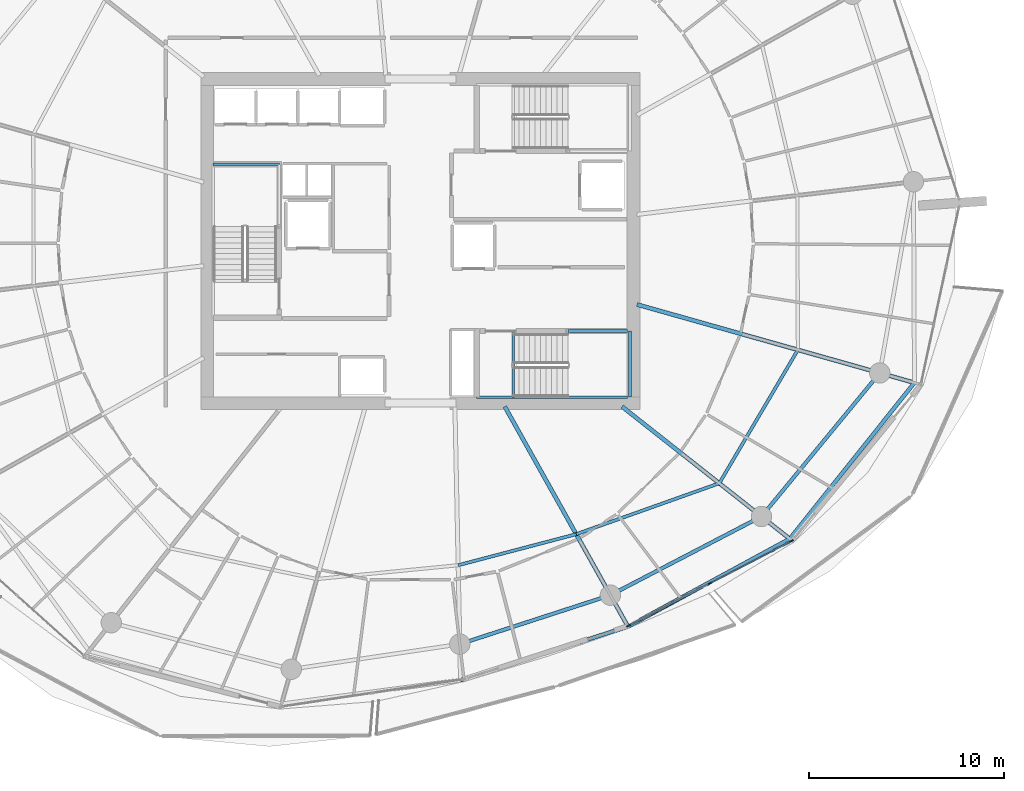
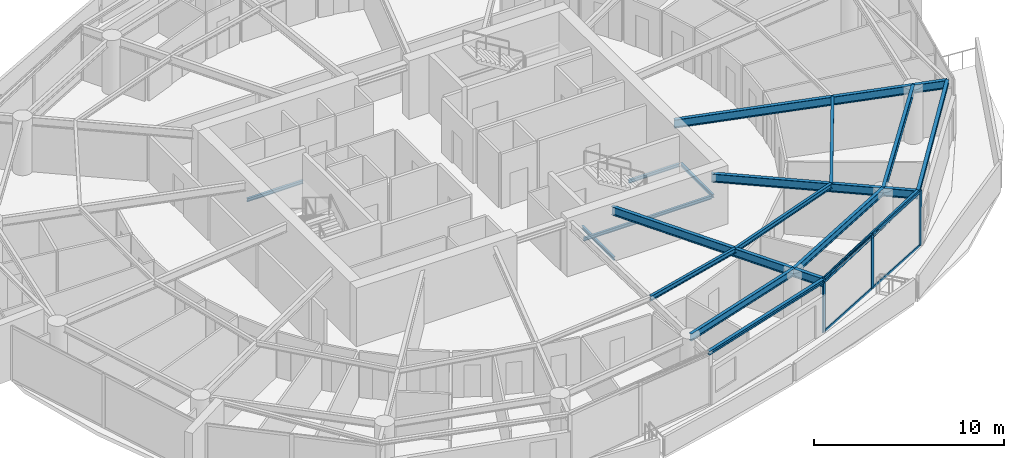
# One storey, part 6 of 21: 17 beams, 7 members, 1 element without a shape of its own.
"""IFC4 building model written with IfcOpenShell, lengths in metres."""

from ifc_helpers import new_model, si_unit, direction, frame, origin, origin_2d, place, context, subcontext, project, spatial, rectangle, i_section, extrude, material, layer, layer_set, material_profile, profile_set, type_object, element, aggregate, save


model = new_model("IFC4")

# Units and contexts
model_context = context("Model", 3, precision=1e-05, world=origin(), true_north=direction((0.0, 1.0)))
body_context = subcontext(model_context, "Body", "Model", "MODEL_VIEW")
ifc_project = project(units=[si_unit("LENGTHUNIT", "METRE"), si_unit("AREAUNIT", "SQUARE_METRE"), si_unit("VOLUMEUNIT", "CUBIC_METRE"), si_unit("PLANEANGLEUNIT", "RADIAN"), si_unit("MASSUNIT", "GRAM", prefix="KILO")], contexts=[model_context])

# Site, building, storey
site_placement = place(None, origin())
site = spatial("IfcSite", under=ifc_project, at=site_placement, CompositionType="ELEMENT")
building_placement = place(site_placement, origin())
building = spatial("IfcBuilding", under=site, at=building_placement, Name="Kazma Halo Residences", CompositionType="ELEMENT")
storey_placement = place(building_placement, frame((0.0, 0.0, 184.050048828125)))
storey = spatial("IfcBuildingStorey", under=building, at=storey_placement, Name="L46", CompositionType="ELEMENT", Elevation=184.050048828125)

# Beams
ifc_material_1 = material(Name="Steel S355", Category="steel")
ifc_material_profile_1 = material_profile(ifc_material_1, i_section(OverallWidth=0.201904296875, OverallDepth=0.2470703125, WebThickness=0.00732421875, FlangeThickness=0.010986328125, FilletRadius=0.011962890625, at=origin_2d()), Name="W250x49.1")
ifc_profile_set_1 = profile_set([ifc_material_profile_1], Name="Steel S355")
beam_type_1 = type_object("IfcBeamType", Name="BM-BAL-CANT", PredefinedType="BEAM", material=ifc_profile_set_1)
beam_1_placement = place(storey_placement, frame((50.48779296875, 19.45068359375, 3.37646484375), z_axis=(0.952538666424, 0.30441762263, 0.0), x_axis=(-0.30441762263, 0.952538666424, 0.0)))
element("IfcBeam", 1, at=beam_1_placement, inside=storey, type_object=beam_type_1, Name="L46 wave-balcony tie beam 12", PredefinedType="BEAM", context=body_context, shape_type="SweptSolid", body=[
    extrude(i_section(OverallWidth=0.201904296875, OverallDepth=0.2470703125, WebThickness=0.00732421875, FlangeThickness=0.010986328125, FilletRadius=0.011962890625, at=origin_2d()), origin(), (0.0, 0.0, 1.0), 9.029541015625),
])
beam_2_placement = place(storey_placement, frame((59.0888671875, 22.199462890625, 3.37646484375), z_axis=(0.878890557257, 0.477023467309, 0.0), x_axis=(-0.477023467309, 0.878890557257, 0.0)))
element("IfcBeam", 2, at=beam_2_placement, inside=storey, type_object=beam_type_1, Name="L46 wave-balcony tie beam 13", PredefinedType="BEAM", context=body_context, shape_type="SweptSolid", body=[
    extrude(i_section(OverallWidth=0.201904296875, OverallDepth=0.2470703125, WebThickness=0.00732421875, FlangeThickness=0.010986328125, FilletRadius=0.011962890625, at=origin_2d()), origin(), (0.0, 0.0, 1.0), 9.452880859375),
])
beam_3_placement = place(storey_placement, frame((67.39697265625, 26.708740234375, 3.37646484375), z_axis=(0.624195724924, 0.781268005864, 0.0), x_axis=(-0.781268005864, 0.624195724924, 0.0)))
element("IfcBeam", 3, at=beam_3_placement, inside=storey, type_object=beam_type_1, Name="L46 wave-balcony tie beam 14", PredefinedType="BEAM", context=body_context, shape_type="SweptSolid", body=[
    extrude(i_section(OverallWidth=0.201904296875, OverallDepth=0.2470703125, WebThickness=0.00732421875, FlangeThickness=0.010986328125, FilletRadius=0.011962890625, at=origin_2d()), origin(), (0.0, 0.0, 1.0), 10.258544921875),
])
ifc_material_profile_2 = material_profile(ifc_material_1, i_section(OverallWidth=0.208984375, OverallDepth=0.532958984375, WebThickness=0.01025390625, FlangeThickness=0.015625, FilletRadius=0.01611328125, at=origin_2d()), Name="W530x92")
ifc_profile_set_2 = profile_set([ifc_material_profile_2], Name="Steel S355")
beam_type_2 = type_object("IfcBeamType", Name="BM-RAD-W530", PredefinedType="BEAM", material=ifc_profile_set_2)
beam_4_placement = place(storey_placement, frame((52.76025390625, 33.5, 3.2333984375), z_axis=(0.488621736368, -0.872495729931, 0.0), x_axis=(0.872495729931, 0.488621736368, 0.0)))
element("IfcBeam", 4, at=beam_4_placement, inside=storey, type_object=beam_type_2, Name="L46 radial floor beam 13", PredefinedType="BEAM", context=body_context, shape_type="SweptSolid", body=[
    extrude(i_section(OverallWidth=0.208984375, OverallDepth=0.532958984375, WebThickness=0.01025390625, FlangeThickness=0.015625, FilletRadius=0.01611328125, at=origin_2d()), origin(), (0.0, 0.0, 1.0), 12.951904296875),
])
beam_5_placement = place(storey_placement, frame((58.7822265625, 33.5, 3.2333984375), z_axis=(0.785319521624, -0.619090662954, 0.0), x_axis=(0.619090662954, 0.785319521624, 0.0)))
element("IfcBeam", 5, at=beam_5_placement, inside=storey, type_object=beam_type_2, Name="L46 radial floor beam 14", PredefinedType="BEAM", context=body_context, shape_type="SweptSolid", body=[
    extrude(i_section(OverallWidth=0.208984375, OverallDepth=0.532958984375, WebThickness=0.01025390625, FlangeThickness=0.015625, FilletRadius=0.01611328125, at=origin_2d()), origin(), (0.0, 0.0, 1.0), 10.9697265625),
])
beam_6_placement = place(storey_placement, frame((59.550048828125, 38.74267578125, 3.2333984375), z_axis=(0.962449896911, -0.271459381741, 0.0), x_axis=(0.271459381741, 0.962449896911, 0.0)))
element("IfcBeam", 6, at=beam_6_placement, inside=storey, type_object=beam_type_2, Name="L46 radial floor beam 15", PredefinedType="BEAM", context=body_context, shape_type="SweptSolid", body=[
    extrude(i_section(OverallWidth=0.208984375, OverallDepth=0.532958984375, WebThickness=0.01025390625, FlangeThickness=0.015625, FilletRadius=0.01611328125, at=origin_2d()), origin(), (0.0, 0.0, 1.0), 14.80615234375),
])
ifc_material_profile_3 = material_profile(ifc_material_1, i_section(OverallWidth=0.1650390625, OverallDepth=0.31005859375, WebThickness=0.005859375, FlangeThickness=0.009765625, FilletRadius=0.011962890625, at=origin_2d()), Name="W310x38.7")
ifc_profile_set_3 = profile_set([ifc_material_profile_3], Name="Steel S355")
beam_type_3 = type_object("IfcBeamType", Name="BM-SEC-W310B", PredefinedType="JOIST", material=ifc_profile_set_3)
beam_7_placement = place(storey_placement, frame((50.366943359375, 25.3515625, 3.344970703125), z_axis=(0.967135034863, 0.254263297273, 0.0), x_axis=(-0.254263297273, 0.967135034863, 0.0)))
element("IfcBeam", 7, at=beam_7_placement, inside=storey, type_object=beam_type_3, Name="L46 circumferential floor joist 12", PredefinedType="JOIST", context=body_context, shape_type="SweptSolid", body=[
    extrude(i_section(OverallWidth=0.1650390625, OverallDepth=0.31005859375, WebThickness=0.005859375, FlangeThickness=0.009765625, FilletRadius=0.011962890625, at=origin_2d()), origin(), (0.0, 0.0, 1.0), 6.27001953125),
])
beam_8_placement = place(storey_placement, frame((56.430908203125, 26.94580078125, 3.344970703125), z_axis=(0.942107492186, 0.335311009612, 0.0), x_axis=(-0.335311009612, 0.942107492186, 0.0)))
element("IfcBeam", 8, at=beam_8_placement, inside=storey, type_object=beam_type_3, Name="L46 circumferential floor joist 13", PredefinedType="JOIST", context=body_context, shape_type="SweptSolid", body=[
    extrude(i_section(OverallWidth=0.1650390625, OverallDepth=0.31005859375, WebThickness=0.005859375, FlangeThickness=0.009765625, FilletRadius=0.011962890625, at=origin_2d()), origin(), (0.0, 0.0, 1.0), 7.79931640625),
])
beam_9_placement = place(storey_placement, frame((63.77880859375, 29.56103515625, 3.344970703125), z_axis=(0.507638586433, 0.861570116453, 0.0), x_axis=(-0.861570116453, 0.507638586433, 0.0)))
element("IfcBeam", 9, at=beam_9_placement, inside=storey, type_object=beam_type_3, Name="L46 circumferential floor joist 14", PredefinedType="JOIST", context=body_context, shape_type="SweptSolid", body=[
    extrude(i_section(OverallWidth=0.1650390625, OverallDepth=0.31005859375, WebThickness=0.005859375, FlangeThickness=0.009765625, FilletRadius=0.011962890625, at=origin_2d()), origin(), (0.0, 0.0, 1.0), 7.951171875),
])
ifc_material_profile_4 = material_profile(ifc_material_1, i_section(OverallWidth=0.18994140625, OverallDepth=0.45703125, WebThickness=0.009033203125, FlangeThickness=0.014404296875, FilletRadius=0.01611328125, at=origin_2d()), Name="W460x74")
ifc_profile_set_4 = profile_set([ifc_material_profile_4], Name="Steel S355")
beam_type_4 = type_object("IfcBeamType", Name="BM-SPN-W460", PredefinedType="BEAM", material=ifc_profile_set_4)
beam_10_placement = place(storey_placement, frame((50.449951171875, 21.30029296875, 3.271484375), z_axis=(0.951048627281, 0.30904127321, 0.0), x_axis=(-0.30904127321, 0.951048627281, 0.0)))
element("IfcBeam", 10, at=beam_10_placement, inside=storey, type_object=beam_type_4, Name="L46 perimeter ring beam 12", PredefinedType="BEAM", context=body_context, shape_type="SweptSolid", body=[
    extrude(i_section(OverallWidth=0.18994140625, OverallDepth=0.45703125, WebThickness=0.009033203125, FlangeThickness=0.014404296875, FilletRadius=0.01611328125, at=origin_2d()), origin(), (0.0, 0.0, 1.0), 8.133056640625),
])
beam_11_placement = place(storey_placement, frame((58.184814453125, 23.813720703125, 3.271484375), z_axis=(0.886961243394, 0.461843861838, 0.0), x_axis=(-0.461843861838, 0.886961243394, 0.0)))
element("IfcBeam", 11, at=beam_11_placement, inside=storey, type_object=beam_type_4, Name="L46 perimeter ring beam 13", PredefinedType="BEAM", context=body_context, shape_type="SweptSolid", body=[
    extrude(i_section(OverallWidth=0.18994140625, OverallDepth=0.45703125, WebThickness=0.009033203125, FlangeThickness=0.014404296875, FilletRadius=0.01611328125, at=origin_2d()), origin(), (0.0, 0.0, 1.0), 8.748046875),
])
beam_12_placement = place(storey_placement, frame((65.944091796875, 27.85400390625, 3.271484375), z_axis=(0.63601715545, 0.771674917289, 0.0), x_axis=(-0.771674917289, 0.63601715545, 0.0)))
element("IfcBeam", 12, at=beam_12_placement, inside=storey, type_object=beam_type_4, Name="L46 perimeter ring beam 14", PredefinedType="BEAM", context=body_context, shape_type="SweptSolid", body=[
    extrude(i_section(OverallWidth=0.18994140625, OverallDepth=0.45703125, WebThickness=0.009033203125, FlangeThickness=0.014404296875, FilletRadius=0.01611328125, at=origin_2d()), origin(), (0.0, 0.0, 1.0), 9.552734375),
])
ifc_material_profile_5 = material_profile(ifc_material_1, i_section(OverallWidth=0.133056640625, OverallDepth=0.20703125, WebThickness=0.005859375, FlangeThickness=0.00830078125, FilletRadius=0.010009765625, at=origin_2d()), Name="W200x26.6")
ifc_profile_set_5 = profile_set([ifc_material_profile_5], Name="Steel S355")
beam_type_5 = type_object("IfcBeamType", Name="BM-TRIM-W200", PredefinedType="BEAM", material=ifc_profile_set_5)
beam_13_placement = place(storey_placement, frame((53.199951171875, 34.0, -0.360107421875), z_axis=(0.0, 1.0, 0.0), x_axis=(-1.0, 0.0, 0.0)))
element("IfcBeam", 13, at=beam_13_placement, inside=storey, type_object=beam_type_5, Name="L46 ST-03 floor landing support beam", PredefinedType="BEAM", context=body_context, shape_type="SweptSolid", body=[
    extrude(i_section(OverallWidth=0.133056640625, OverallDepth=0.20703125, WebThickness=0.005859375, FlangeThickness=0.00830078125, FilletRadius=0.010009765625, at=origin_2d()), origin(), (0.0, 0.0, 1.0), 3.3798828125),
])
beam_14_placement = place(storey_placement, frame((37.780029296875, 45.93994140625, 1.570068359375), z_axis=(1.0, 0.0, 0.0), x_axis=(0.0, 1.0, 0.0)))
element("IfcBeam", 14, at=beam_14_placement, inside=storey, type_object=beam_type_5, Name="L46 ST-01 landing end wall ledger", PredefinedType="BEAM", context=body_context, shape_type="SweptSolid", body=[
    extrude(i_section(OverallWidth=0.133056640625, OverallDepth=0.20703125, WebThickness=0.005859375, FlangeThickness=0.00830078125, FilletRadius=0.010009765625, at=origin_2d()), origin(), (0.0, 0.0, 1.0), 3.39990234375),
])
beam_15_placement = place(storey_placement, frame((51.31005859375, 33.97998046875, 1.570068359375), z_axis=(1.0, 0.0, 0.0), x_axis=(0.0, 1.0, 0.0)))
element("IfcBeam", 15, at=beam_15_placement, inside=storey, type_object=beam_type_5, Name="L46 ST-03 landing south wall ledger", PredefinedType="BEAM", context=body_context, shape_type="SweptSolid", body=[
    extrude(i_section(OverallWidth=0.133056640625, OverallDepth=0.20703125, WebThickness=0.005859375, FlangeThickness=0.00830078125, FilletRadius=0.010009765625, at=origin_2d()), origin(), (0.0, 0.0, 1.0), 7.760009765625),
])
beam_16_placement = place(storey_placement, frame((56.0, 37.3798828125, 1.570068359375), z_axis=(1.0, 0.0, 0.0), x_axis=(0.0, 1.0, 0.0)))
element("IfcBeam", 16, at=beam_16_placement, inside=storey, type_object=beam_type_5, Name="L46 ST-03 landing north wall ledger", PredefinedType="BEAM", context=body_context, shape_type="SweptSolid", body=[
    extrude(i_section(OverallWidth=0.133056640625, OverallDepth=0.20703125, WebThickness=0.005859375, FlangeThickness=0.00830078125, FilletRadius=0.010009765625, at=origin_2d()), origin(), (0.0, 0.0, 1.0), 3.070068359375),
])
beam_17_placement = place(storey_placement, frame((59.18994140625, 33.97998046875, 1.570068359375), z_axis=(0.0, 1.0, 0.0), x_axis=(-1.0, 0.0, 0.0)))
element("IfcBeam", 17, at=beam_17_placement, inside=storey, type_object=beam_type_5, Name="L46 ST-03 landing end wall ledger", PredefinedType="BEAM", context=body_context, shape_type="SweptSolid", body=[
    extrude(i_section(OverallWidth=0.133056640625, OverallDepth=0.20703125, WebThickness=0.005859375, FlangeThickness=0.00830078125, FilletRadius=0.010009765625, at=origin_2d()), origin(), (0.0, 0.0, 1.0), 3.39990234375),
])

# Curtain wall, members
ifc_material_2 = material(Name="Aluminium AW-6063 T6 and Triple-Silver Low-E Glass", Category="aluminium")
ifc_layer = layer(ifc_material_2, 0.219970703125)
ifc_layer_set = layer_set([ifc_layer], Name="Aluminium AW-6063 T6 and Triple-Silver Low-E Glass")
curtain_wall_type = type_object("IfcCurtainWallType", Name="CW-SYS-4", PredefinedType="NOTDEFINED", material=ifc_layer_set)
curtain_wall_placement = place(storey_placement, origin())
curtain_wall = element("IfcCurtainWall", 18, at=curtain_wall_placement, inside=storey, type_object=curtain_wall_type, Name="L46 unitised curtain wall B13", PredefinedType="NOTDEFINED")
ifc_material_3 = material(Name="Aluminium AW-6063 T6", Category="aluminium")
ifc_material_profile_6 = material_profile(ifc_material_3, rectangle(XDim=0.074951171875, YDim=0.219970703125, at=origin_2d()), Name="CWM-75x220")
ifc_profile_set_6 = profile_set([ifc_material_profile_6], Name="Aluminium AW-6063 T6")
member_type_1 = type_object("IfcMemberType", Name="CW-SYS-4-MUL", PredefinedType="MULLION", material=ifc_profile_set_6)
member_1_placement = place(storey_placement, frame((59.105712890625, 22.24609375, 0.0), z_axis=(0.0, 0.0, 1.0), x_axis=(-0.460873851097, 0.887465657575, 0.0)))
member_1 = element("IfcMember", 19, at=member_1_placement, type_object=member_type_1, Name="CWS-4 mullion 1", PredefinedType="MULLION", context=body_context, shape_type="SweptSolid", body=[
    extrude(rectangle(XDim=0.074951171875, YDim=0.219970703125, at=origin_2d()), origin(), (0.0, 0.0, 1.0), 3.5),
])
member_2_placement = place(storey_placement, frame((63.294677734375, 24.421630859375, 0.0), z_axis=(0.0, 0.0, 1.0), x_axis=(-0.460873851097, 0.887465657575, 0.0)))
member_2 = element("IfcMember", 20, at=member_2_placement, type_object=member_type_1, Name="CWS-4 mullion 2", PredefinedType="MULLION", context=body_context, shape_type="SweptSolid", body=[
    extrude(rectangle(XDim=0.074951171875, YDim=0.219970703125, at=origin_2d()), origin(), (0.0, 0.0, 1.0), 3.5),
])
member_3_placement = place(storey_placement, frame((67.4833984375, 26.596923828125, 0.0), z_axis=(0.0, 0.0, 1.0), x_axis=(-0.460873851097, 0.887465657575, 0.0)))
member_3 = element("IfcMember", 21, at=member_3_placement, type_object=member_type_1, Name="CWS-4 mullion 3", PredefinedType="MULLION", context=body_context, shape_type="SweptSolid", body=[
    extrude(rectangle(XDim=0.074951171875, YDim=0.219970703125, at=origin_2d()), origin(), (0.0, 0.0, 1.0), 3.5),
])
ifc_material_profile_7 = material_profile(ifc_material_3, rectangle(XDim=0.074951171875, YDim=0.1650390625, at=origin_2d()), Name="CWT-75x165")
ifc_profile_set_7 = profile_set([ifc_material_profile_7], Name="Aluminium AW-6063 T6")
member_type_2 = type_object("IfcMemberType", Name="CW-SYS-4-TRN", PredefinedType="USERDEFINED", material=ifc_profile_set_7)
member_4_placement = place(storey_placement, frame((59.138916015625, 22.263427734375, 0.037353515625), z_axis=(0.887457630519, 0.460889307789, 0.0), x_axis=(-0.460889307789, 0.887457630519, 0.0)))
member_4 = element("IfcMember", 22, at=member_4_placement, type_object=member_type_2, Name="CWS-4 transom 1.1", ObjectType="TRANSOM", PredefinedType="USERDEFINED", context=body_context, shape_type="SweptSolid", body=[
    extrude(rectangle(XDim=0.074951171875, YDim=0.1650390625, at=origin_2d()), origin(), (0.0, 0.0, 1.0), 4.64501953125),
])
member_5_placement = place(storey_placement, frame((59.138916015625, 22.263427734375, 3.46240234375), z_axis=(0.887457630519, 0.460889307789, 0.0), x_axis=(-0.460889307789, 0.887457630519, 0.0)))
member_5 = element("IfcMember", 23, at=member_5_placement, type_object=member_type_2, Name="CWS-4 transom 1.2", ObjectType="TRANSOM", PredefinedType="USERDEFINED", context=body_context, shape_type="SweptSolid", body=[
    extrude(rectangle(XDim=0.074951171875, YDim=0.1650390625, at=origin_2d()), origin(), (0.0, 0.0, 1.0), 4.64501953125),
])
member_6_placement = place(storey_placement, frame((63.327880859375, 24.438720703125, 0.037353515625), z_axis=(0.887457630519, 0.460889307789, 0.0), x_axis=(-0.460889307789, 0.887457630519, 0.0)))
member_6 = element("IfcMember", 24, at=member_6_placement, type_object=member_type_2, Name="CWS-4 transom 2.1", ObjectType="TRANSOM", PredefinedType="USERDEFINED", context=body_context, shape_type="SweptSolid", body=[
    extrude(rectangle(XDim=0.074951171875, YDim=0.1650390625, at=origin_2d()), origin(), (0.0, 0.0, 1.0), 4.64501953125),
])
member_7_placement = place(storey_placement, frame((63.327880859375, 24.438720703125, 3.46240234375), z_axis=(0.887457630519, 0.460889307789, 0.0), x_axis=(-0.460889307789, 0.887457630519, 0.0)))
member_7 = element("IfcMember", 25, at=member_7_placement, type_object=member_type_2, Name="CWS-4 transom 2.2", ObjectType="TRANSOM", PredefinedType="USERDEFINED", context=body_context, shape_type="SweptSolid", body=[
    extrude(rectangle(XDim=0.074951171875, YDim=0.1650390625, at=origin_2d()), origin(), (0.0, 0.0, 1.0), 4.64501953125),
])
aggregate(curtain_wall, [member_1, member_2, member_3, member_4, member_5, member_6, member_7])

save(model, "model.ifc")
